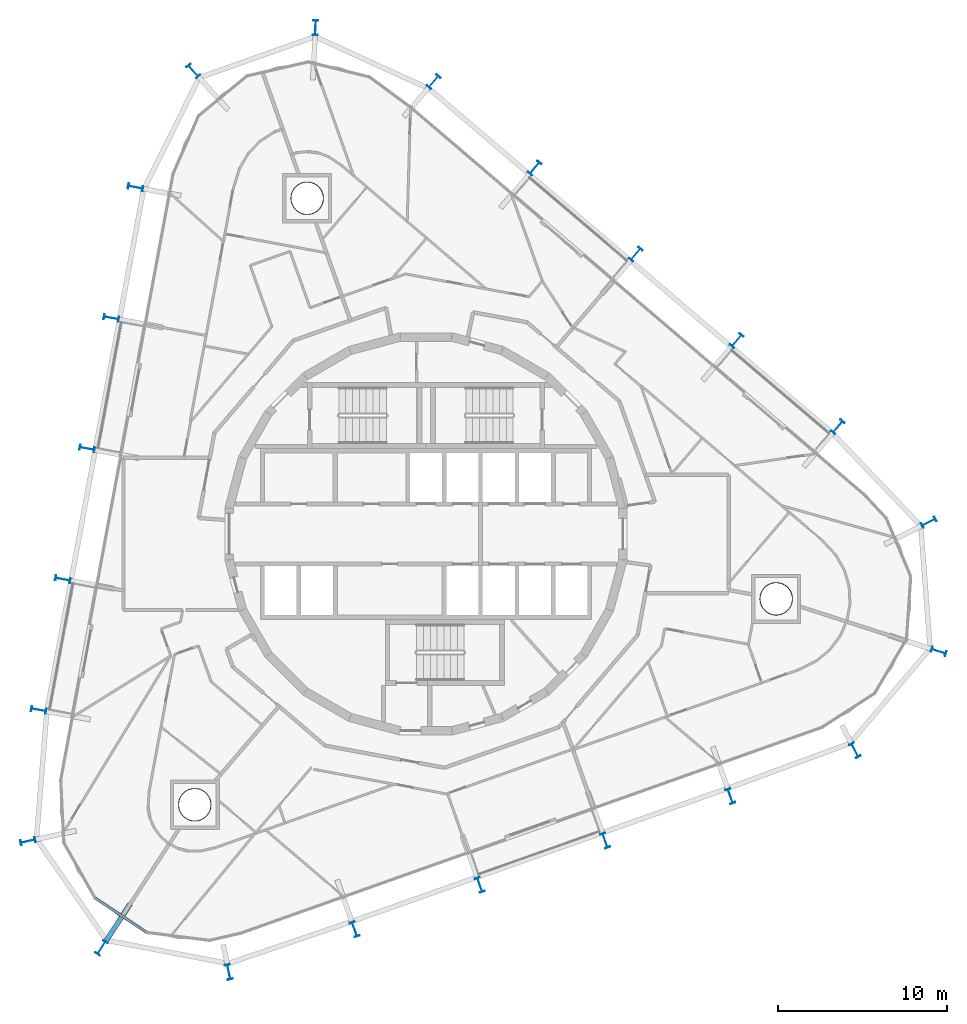
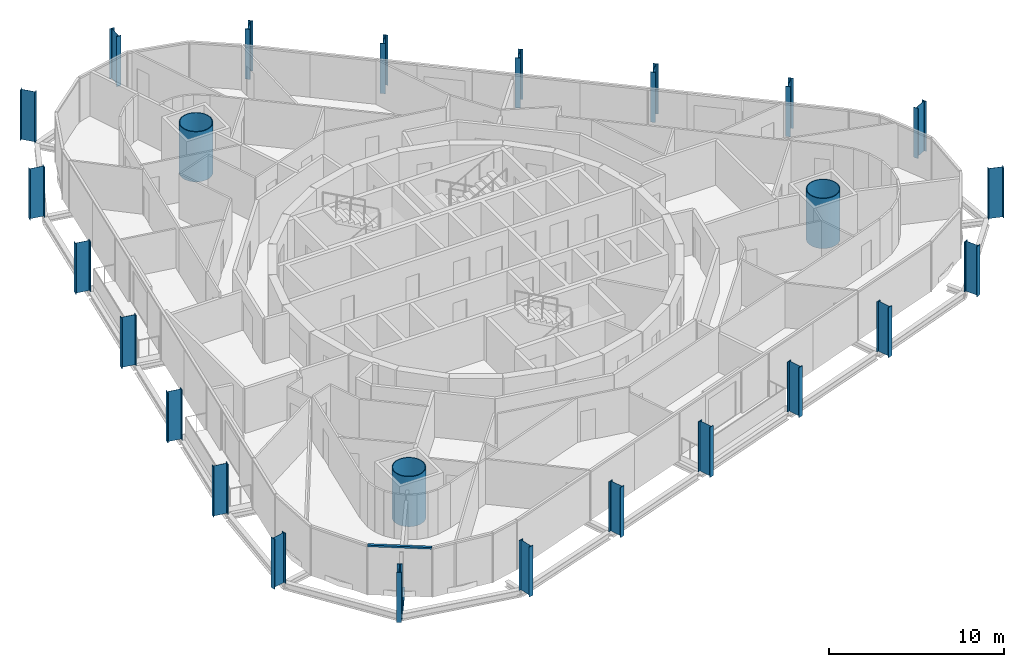
# One storey, part 1 of 17: 25 columns, 1 beam, 1 member, 1 element without a shape of its own.
"""IFC4 building model written with IfcOpenShell, lengths in metres."""

from ifc_helpers import new_model, si_unit, direction, frame, origin, origin_2d, place, context, subcontext, project, spatial, rectangle, hollow_circle, i_section, extrude, material, layer, layer_set, material_profile, profile_set, type_object, element, aggregate, save


model = new_model("IFC4")

# Units and contexts
model_context = context("Model", 3, precision=1e-05, world=origin(), true_north=direction((0.0, 1.0)))
body_context = subcontext(model_context, "Body", "Model", "MODEL_VIEW")
ifc_project = project(units=[si_unit("LENGTHUNIT", "METRE"), si_unit("AREAUNIT", "SQUARE_METRE"), si_unit("VOLUMEUNIT", "CUBIC_METRE"), si_unit("PLANEANGLEUNIT", "RADIAN"), si_unit("MASSUNIT", "GRAM", prefix="KILO")], contexts=[model_context])

# Site, building, storey
site_placement = place(None, origin())
site = spatial("IfcSite", under=ifc_project, at=site_placement, CompositionType="ELEMENT")
building_placement = place(site_placement, origin())
building = spatial("IfcBuilding", under=site, at=building_placement, Name="Spindle Arch Residences", CompositionType="ELEMENT")
storey_placement = place(building_placement, frame((0.0, 0.0, 162.199951171875)))
storey = spatial("IfcBuildingStorey", under=building, at=storey_placement, Name="L40", CompositionType="ELEMENT", Elevation=162.199951171875)

# Columns
ifc_material_1 = material(Name="Steel S460ML, intumescent coating R 240", Category="steel")
ifc_material_profile_1 = material_profile(ifc_material_1, i_section(OverallWidth=0.300048828125, OverallDepth=0.89990234375, WebThickness=0.0185546875, FlangeThickness=0.034912109375, FilletRadius=0.030029296875, at=origin_2d()), Name="HEB 900")
ifc_profile_set_1 = profile_set([ifc_material_profile_1], Name="Steel S460ML, intumescent coating R 240")
column_type_1 = type_object("IfcColumnType", Name="Exoskeleton post HEB 900", PredefinedType="COLUMN", material=ifc_profile_set_1)
for number, where, z_axis, x_axis, name in (
    (1, (10.592041015625, -18.1376953125, -0.3798828125), (0.0, 0.0, 1.0), (-0.942641392079, -0.333807138839, 0.0), "Exoskeleton post 1"),
    (2, (18.001220703125, -15.513916015625, -0.3798828125), (0.0, 0.0, 1.0), (-0.942641392079, -0.333807138839, 0.0), "Exoskeleton post 2"),
    (3, (25.37353515625, -12.79931640625, -0.3798828125), (0.0, 0.0, 1.0), (-0.887176487998, -0.461430253823, 0.0), "Exoskeleton post 3"),
    (4, (30.322509765625, -6.948486328125, -0.3798828125), (0.0, 0.0, 1.0), (-0.307880057726, -0.95142517838, 0.0), "Exoskeleton post 4"),
    (5, (29.739501953125, 0.6923828125, -0.3798828125), (0.0, 0.0, 1.0), (0.448657012727, -0.893704025352, 0.0), "Exoskeleton post 5"),
    (6, (24.357666015625, 6.330810546875, -0.3798828125), (0.0, 0.0, 1.0), (0.76040600398, -0.649448003393, 0.0), "Exoskeleton post 6"),
    (7, (18.380615234375, 11.435546875, -0.3798828125), (0.0, 0.0, 1.0), (0.76040600398, -0.649448003393, 0.0), "Exoskeleton post 7"),
    (8, (12.40380859375, 16.540283203125, -0.3798828125), (0.0, 0.0, 1.0), (0.76040600398, -0.649448003393, 0.0), "Exoskeleton post 8"),
    (9, (6.427001953125, 21.64501953125, -0.3798828125), (0.0, 0.0, 1.0), (0.76040600398, -0.649448003393, 0.0), "Exoskeleton post 9"),
    (10, (0.4501953125, 26.74951171875, -0.3798828125), (0.0, 0.0, 1.0), (0.76040600398, -0.649448003393, 0.0), "Exoskeleton post 10"),
    (11, (-6.53955078125, 29.945556640625, -0.3798828125), (0.0, 0.0, 1.0), (0.998810817099, -0.048753991075, 0.0), "Exoskeleton post 11"),
    (12, (-13.76318359375, 27.387451171875, -0.3798828125), (0.0, 0.0, 1.0), (0.745539941806, 0.666460947972, 0.0), "Exoskeleton post 12"),
    (13, (-17.183837890625, 20.505126953125, -0.3798828125), (0.0, 0.0, 1.0), (0.182235967681, 0.983254825609, 0.0), "Exoskeleton post 13"),
    (14, (-18.6162109375, 12.776611328125, -0.3798828125), (0.0, 0.0, 1.0), (0.182235967681, 0.983254825609, 0.0), "Exoskeleton post 14"),
    (15, (-20.048583984375, 5.048095703125, -0.3798828125), (0.0, 0.0, 1.0), (0.182235967681, 0.983254825609, 0.0), "Exoskeleton post 15"),
    (16, (-21.481201171875, -2.680419921875, -0.3798828125), (0.0, 0.0, 1.0), (0.182235967681, 0.983254825609, 0.0), "Exoskeleton post 16"),
    (17, (-22.91357421875, -10.40869140625, -0.3798828125), (0.0, 0.0, 1.0), (0.182235967681, 0.983254825609, 0.0), "Exoskeleton post 17"),
    (18, (-23.5478515625, -18.177490234375, -0.3798828125), (0.0, 0.0, 1.0), (-0.213754108667, 0.976887496607, 0.0), "Exoskeleton post 18"),
    (19, (-19.192138671875, -24.482666015625, -0.3798828125), (0.0, 0.0, 1.0), (-0.838019022948, 0.545641014933, 0.0), "Exoskeleton post 19"),
    (20, (-11.6640625, -25.9150390625, -0.3798828125), (0.0, 0.0, 1.0), (-0.979853205488, -0.199719041891, 0.0), "Exoskeleton post 20"),
    (21, (-4.226318359375, -23.385009765625, -0.3798828125), (0.0, 0.0, 1.0), (-0.942641392079, -0.333807138839, 0.0), "Exoskeleton post 21"),
    (22, (3.182861328125, -20.76123046875, -0.3798828125), (0.0, 0.0, 1.0), (-0.942641392079, -0.333807138839, 0.0), "Exoskeleton post 22"),
):
    element("IfcColumn", number, at=place(storey_placement, frame(where, z_axis=z_axis, x_axis=x_axis)), inside=storey, type_object=column_type_1, Name=name, PredefinedType="COLUMN", context=body_context, shape_type="SweptSolid", body=[
        extrude(i_section(OverallWidth=0.300048828125, OverallDepth=0.89990234375, WebThickness=0.0185546875, FlangeThickness=0.034912109375, FilletRadius=0.030029296875, at=origin_2d()), origin(), (0.0, 0.0, 1.0), 3.5),
    ])
ifc_material_2 = material(Name="Concrete C50/60 filled steel tube S460ML, intumescent coating R 240", Category="concrete")
ifc_material_profile_2 = material_profile(ifc_material_2, hollow_circle(Radius=0.97509765625, WallThickness=0.044921875, at=origin_2d()), Name="CFT D1950x45")
ifc_profile_set_2 = profile_set([ifc_material_profile_2], Name="Concrete C50/60 filled steel tube S460ML, intumescent coating R 240")
column_type_2 = type_object("IfcColumnType", Name="Mega-column CFT D1950x45", PredefinedType="COLUMN", material=ifc_profile_set_2)
for number, where, z_axis, x_axis, name in (
    (23, (20.713134765625, -3.839111328125, -0.3798828125), (0.0, 0.0, 1.0), (1.0, 0.0, 0.0), "Mega-column 1"),
    (24, (-7.031982421875, 19.857666015625, -0.3798828125), (0.0, 0.0, 1.0), (1.0, 0.0, 0.0), "Mega-column 2"),
    (25, (-13.68115234375, -16.0185546875, -0.3798828125), (0.0, 0.0, 1.0), (1.0, 0.0, 0.0), "Mega-column 3"),
):
    element("IfcColumn", number, at=place(storey_placement, frame(where, z_axis=z_axis, x_axis=x_axis)), inside=storey, type_object=column_type_2, Name=name, PredefinedType="COLUMN", context=body_context, shape_type="SweptSolid", body=[
        extrude(hollow_circle(Radius=0.97509765625, WallThickness=0.044921875, at=origin_2d()), origin(), (0.0, 0.0, 1.0), 3.5),
    ])

# Curtain wall, member
ifc_material_3 = material(Name="Aluminium bronze unitised frame with tinted glass", Category="aluminium")
ifc_layer = layer(ifc_material_3, 0.159912109375)
ifc_layer_set = layer_set([ifc_layer], Name="CW-D corner wall on the fillet arcs")
curtain_wall_type = type_object("IfcCurtainWallType", Name="CW-D corner wall on the fillet arcs", PredefinedType="NOTDEFINED", material=ifc_layer_set)
curtain_wall_placement = place(storey_placement, origin())
curtain_wall = element("IfcCurtainWall", 26, at=curtain_wall_placement, inside=storey, type_object=curtain_wall_type, Name="CW-D L40 run 5", PredefinedType="NOTDEFINED")
ifc_material_4 = material(Name="Aluminium bronze anodised transom", Category="aluminium")
ifc_material_profile_3 = material_profile(ifc_material_4, rectangle(XDim=0.159912109375, YDim=0.1201171875, at=origin_2d()), Name="TR 120x160")
ifc_profile_set_3 = profile_set([ifc_material_profile_3], Name="Aluminium bronze anodised transom")
member_type = type_object("IfcMemberType", Name="Bronze transom 120x160", PredefinedType="USERDEFINED", material=ifc_profile_set_3)
member_placement = place(storey_placement, frame((-19.58154296875, -21.528564453125, 3.06005859375), z_axis=(0.830623700005, -0.556834148549, 0.0), x_axis=(0.556834148549, 0.830623700005, 0.0)))
member = element("IfcMember", 27, at=member_placement, type_object=member_type, Name="CW-D transom 03", ObjectType="TRANSOM", PredefinedType="USERDEFINED", context=body_context, shape_type="SweptSolid", body=[
    extrude(rectangle(XDim=0.159912109375, YDim=0.1201171875, at=origin_2d()), origin(), (0.0, 0.0, 1.0), 3.666748046875),
])
aggregate(curtain_wall, [member])

# Beam
ifc_material_5 = material(Name="Steel S460ML, intumescent coating R 120", Category="steel")
ifc_material_profile_4 = material_profile(ifc_material_5, i_section(OverallWidth=0.300048828125, OverallDepth=0.389892578125, WebThickness=0.010986328125, FlangeThickness=0.01904296875, FilletRadius=0.027099609375, at=origin_2d()), Name="HEA 400")
ifc_profile_set_4 = profile_set([ifc_material_profile_4], Name="Steel S460ML, intumescent coating R 120")
beam_type = type_object("IfcBeamType", Name="Floor outrigger HEA 400", PredefinedType="BEAM", material=ifc_profile_set_4)
beam_placement = place(storey_placement, frame((-18.94677734375, -24.10546875, -0.574951171875), z_axis=(0.545674675997, 0.837997104992, 0.0), x_axis=(-0.837997104992, 0.545674675997, 0.0)))
element("IfcBeam", 28, at=beam_placement, inside=storey, type_object=beam_type, Name="Floor outrigger 19", PredefinedType="BEAM", context=body_context, shape_type="SweptSolid", body=[
    extrude(i_section(OverallWidth=0.300048828125, OverallDepth=0.389892578125, WebThickness=0.010986328125, FlangeThickness=0.01904296875, FilletRadius=0.027099609375, at=origin_2d()), origin(), (0.0, 0.0, 1.0), 2.64990234375),
])

save(model, "model.ifc")
